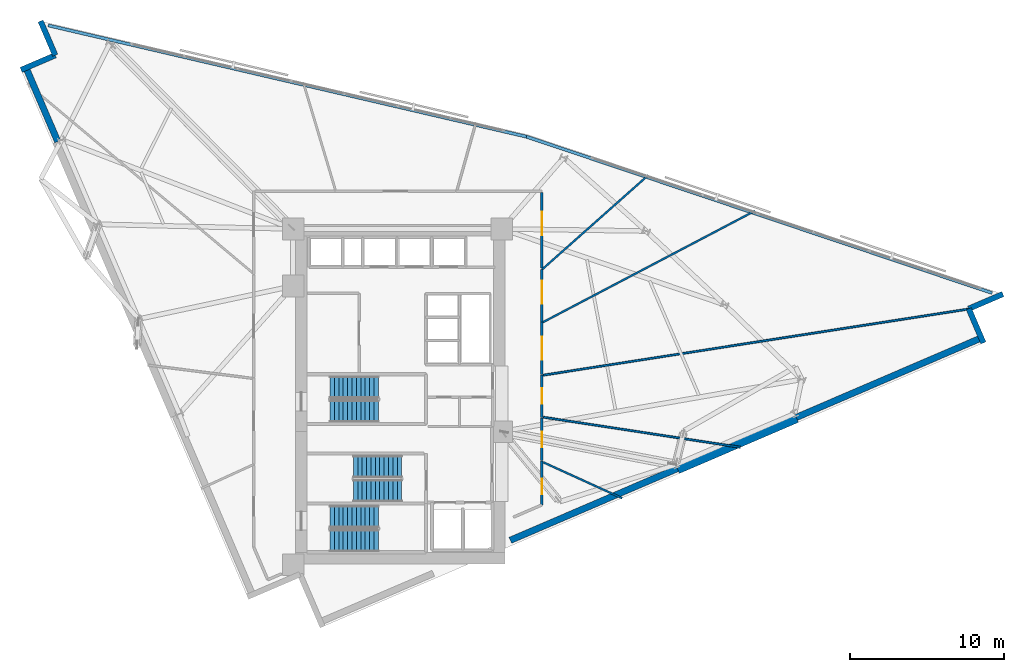
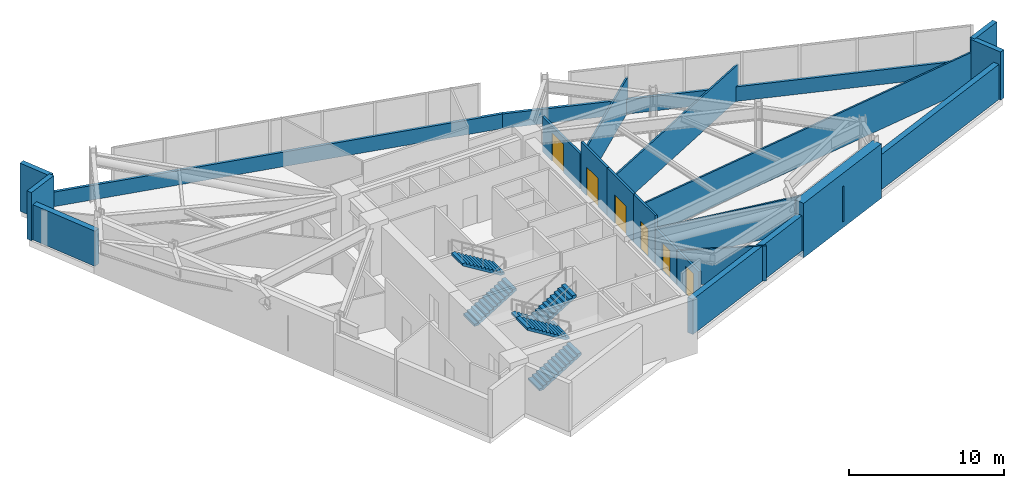
# One storey, part 10 of 14: 21 walls, 6 doors, 6 stair flights, 6 openings, 3 elements without a shape of their own.
"""IFC4 building model written with IfcOpenShell, lengths in metres."""

import ifcopenshell
import ifcopenshell.guid

model = None  # the IFC model being written
_history = None  # IfcOwnerHistory: only IFC2X3 demands one
_inside = {}  # id of a spatial element -> (the spatial element, [elements in it])
_under = {}  # id of a project, library or spatial element -> (it, [spatial elements below it])
_declared = {}  # id of a project -> (the project, [libraries it declares])
_typed = {}  # id of a type object -> (the type object, [elements of that type])
_made_of = {}  # id of a material, layer set ... -> (it, [elements and type objects made of it])


def new_model(schema):
    """Start an empty IFC model of exactly this schema.

    Asked for "IFC4X3", IfcOpenShell would pick the latest addendum, in which some entities
    have other attributes; the version numbers below select the first issue.
    IFC2X3 requires an IfcOwnerHistory on every rooted entity: one is made here for all.
    """
    global model, _history
    if schema == "IFC4X3":
        model = ifcopenshell.file(schema_version=(4, 3, 0, 0))
    else:
        model = ifcopenshell.file(schema=schema)
    _inside.clear()
    _under.clear()
    _declared.clear()
    _typed.clear()
    _made_of.clear()
    _history = None
    if model.schema == "IFC2X3":
        org = make("IfcOrganization", Name="unknown")
        user = make(
            "IfcPersonAndOrganization",
            ThePerson=make("IfcPerson", FamilyName="unknown"),
            TheOrganization=org,
        )
        app = make(
            "IfcApplication",
            ApplicationDeveloper=org,
            Version="unknown",
            ApplicationFullName="unknown",
            ApplicationIdentifier="unknown",
        )
        _history = make(
            "IfcOwnerHistory",
            OwningUser=user,
            OwningApplication=app,
            ChangeAction="ADDED",
            CreationDate=0,
        )
    return model


def make(cls, **values):
    """One entity of the class cls with the attributes given. An attribute that is None is left unset."""
    return model.create_entity(
        cls, **{name: value for name, value in values.items() if value is not None}
    )


def rooted(cls, **values):
    """An entity with a GlobalId (a new one), such as an element, a storey or a relation."""
    return make(cls, GlobalId=ifcopenshell.guid.new(), OwnerHistory=_history, **values)


def si_unit(unit_type, name, prefix=None):
    """IfcSIUnit, for example si_unit("LENGTHUNIT", "METRE", prefix="MILLI")."""
    return make("IfcSIUnit", UnitType=unit_type, Prefix=prefix, Name=name)


def assignment(units):
    """IfcUnitAssignment: the units of a project."""
    return None if units is None else make("IfcUnitAssignment", Units=units)


def point(xyz):
    """IfcCartesianPoint."""
    return None if xyz is None else make("IfcCartesianPoint", Coordinates=xyz)


def direction(xyz):
    """IfcDirection."""
    return None if xyz is None else make("IfcDirection", DirectionRatios=xyz)


def frame(location, z_axis=None, x_axis=None):
    """IfcAxis2Placement3D, a coordinate frame: its origin and axes. An axis left out is left unset."""
    return make(
        "IfcAxis2Placement3D",
        Location=point(location),
        Axis=direction(z_axis),
        RefDirection=direction(x_axis),
    )


def frame_2d(location, x_axis=None):
    """IfcAxis2Placement2D, a coordinate frame in the plane: its origin and x axis."""
    return make(
        "IfcAxis2Placement2D", Location=point(location), RefDirection=direction(x_axis)
    )


def origin():
    """The frame at (0, 0, 0) with its axes left unset."""
    return frame((0.0, 0.0, 0.0))


def place(relative_to, where):
    """IfcLocalPlacement: puts the frame where relative to a parent placement (None: the world)."""
    return make(
        "IfcLocalPlacement", PlacementRelTo=relative_to, RelativePlacement=where
    )


def context(
    kind, dimensions, precision=None, world=None, true_north=None, identifier=None
):
    """IfcGeometricRepresentationContext, for example the 3D "Model" context."""
    return make(
        "IfcGeometricRepresentationContext",
        ContextIdentifier=identifier,
        ContextType=kind,
        CoordinateSpaceDimension=dimensions,
        Precision=precision,
        WorldCoordinateSystem=world,
        TrueNorth=true_north,
    )


def subcontext(parent, identifier, kind, view, scale=None):
    """IfcGeometricRepresentationSubContext, for example "Body" below "Model"."""
    return make(
        "IfcGeometricRepresentationSubContext",
        ContextIdentifier=identifier,
        ContextType=kind,
        ParentContext=parent,
        TargetScale=scale,
        TargetView=view,
    )


def project(units=None, contexts=None):
    """IfcProject with its units and contexts."""
    return rooted(
        "IfcProject",
        Name="project",
        RepresentationContexts=contexts,
        UnitsInContext=assignment(units),
    )


def spatial(cls, under=None, at=None, **own):
    """A site, building, storey or space (cls), placed at a placement, below another one or the project."""
    s = rooted(cls, ObjectPlacement=at, **own)
    if under is not None:
        _under.setdefault(under.id(), (under, []))[1].append(s)
    return s


def polyline(points):
    """IfcPolyline through the points."""
    return make("IfcPolyline", Points=[point(p) for p in points])


def profile(cls, at=None, kind="AREA", **sizes):
    """A parametric profile (cls). Its sizes go by their IFC names, for example OverallWidth=200.0."""
    return make(cls, ProfileType=kind, Position=at, **sizes)


def rectangle(**sizes):
    """IfcRectangleProfileDef."""
    return profile("IfcRectangleProfileDef", **sizes)


def outline(outer, holes=None, kind="AREA"):
    """IfcArbitraryClosedProfileDef: a profile drawn as a closed curve; with holes, ...WithVoids."""
    if holes is None:
        return make("IfcArbitraryClosedProfileDef", ProfileType=kind, OuterCurve=outer)
    return make(
        "IfcArbitraryProfileDefWithVoids",
        ProfileType=kind,
        OuterCurve=outer,
        InnerCurves=holes,
    )


def extrude(swept, where, along, depth):
    """IfcExtrudedAreaSolid: the profile swept, set in the frame where, extruded along a direction by depth."""
    return make(
        "IfcExtrudedAreaSolid",
        SweptArea=swept,
        Position=where,
        ExtrudedDirection=direction(along),
        Depth=depth,
    )


def shape(context_of_items, identifier, shape_type, items):
    """IfcShapeRepresentation: the items that make up one representation, for example the "Body"."""
    return make(
        "IfcShapeRepresentation",
        ContextOfItems=context_of_items,
        RepresentationIdentifier=identifier,
        RepresentationType=shape_type,
        Items=items,
    )


def material(Name=None, Category=None):
    """IfcMaterial."""
    return make("IfcMaterial", Name=Name, Category=Category)


def layer(
    of_material, thickness, ventilated=None, Name=None, Category=None, Priority=None
):
    """IfcMaterialLayer: one layer of a wall or slab, of a material (None: an air gap)."""
    return make(
        "IfcMaterialLayer",
        Material=of_material,
        LayerThickness=thickness,
        IsVentilated=ventilated,
        Name=Name,
        Category=Category,
        Priority=Priority,
    )


def layer_set(layers, Name=None):
    """IfcMaterialLayerSet."""
    return make("IfcMaterialLayerSet", MaterialLayers=layers, LayerSetName=Name)


def made_of(thing, what):
    """Note that an element or type object is made of a material, layer set ...; save() writes the relation."""
    if what is not None:
        _made_of.setdefault(what.id(), (what, []))[1].append(thing)
    return thing


def type_object(cls, material=None, **own):
    """A type object (cls), such as IfcWallType, which elements share."""
    return made_of(rooted(cls, **own), material)


def element(
    cls,
    number,
    at=None,
    inside=None,
    cuts=None,
    type_object=None,
    material=None,
    context=None,
    identifier="Body",
    shape_type=None,
    held_by="IfcProductDefinitionShape",
    body=None,
    shapes=None,
    **own,
):
    """One element of the class cls, such as IfcWall. Its Tag is "e" and its number.

    at: its placement. inside: the storey or other place that contains it. cuts: it is an
    opening in that element (IfcRelVoidsElement). A single representation is given by context,
    identifier, shape_type and body (its items); several are given by shapes. held_by: the class
    of the entity that holds the representations. save() writes the other relations.
    """
    e = rooted(cls, Tag="e%d" % number, ObjectPlacement=at, **own)
    if body is not None:
        shapes = [shape(context, identifier, shape_type, body)]
    if shapes is not None:
        e.Representation = make(held_by, Representations=shapes)
    if inside is not None:
        _inside.setdefault(inside.id(), (inside, []))[1].append(e)
    if cuts is not None:
        rooted(
            "IfcRelVoidsElement", RelatingBuildingElement=cuts, RelatedOpeningElement=e
        )
    if type_object is not None:
        _typed.setdefault(type_object.id(), (type_object, []))[1].append(e)
    return made_of(e, material)


def fill(opening, filler):
    """IfcRelFillsElement: the door or window that sits in an opening."""
    return rooted(
        "IfcRelFillsElement",
        RelatingOpeningElement=opening,
        RelatedBuildingElement=filler,
    )


def aggregate(whole, parts):
    """IfcRelAggregates: a whole, such as a stair, and the parts it consists of."""
    return rooted("IfcRelAggregates", RelatingObject=whole, RelatedObjects=parts)


def save(model, path):
    """Write the relations noted so far, then the file.

    IfcRelAggregates (storeys below a building ...), IfcRelContainedInSpatialStructure (elements
    in a storey), IfcRelDefinesByType, IfcRelAssociatesMaterial and IfcRelDeclares: one each for
    every whole, place, type object, material and project.
    """
    for whole, parts in _under.values():
        aggregate(whole, parts)
    for where, things in _inside.values():
        rooted(
            "IfcRelContainedInSpatialStructure",
            RelatedElements=things,
            RelatingStructure=where,
        )
    for kind, things in _typed.values():
        rooted("IfcRelDefinesByType", RelatedObjects=things, RelatingType=kind)
    for what, things in _made_of.values():
        rooted("IfcRelAssociatesMaterial", RelatedObjects=things, RelatingMaterial=what)
    for by, libraries in _declared.values():
        rooted("IfcRelDeclares", RelatingContext=by, RelatedDefinitions=libraries)
    model.write(path)


model = new_model("IFC4")

# Units and contexts
model_context = context("Model", 3, precision=1e-05, world=origin(), true_north=direction((0.0, 1.0)))
body_context = subcontext(model_context, "Body", "Model", "MODEL_VIEW")
ifc_project = project(units=[si_unit("LENGTHUNIT", "METRE"), si_unit("AREAUNIT", "SQUARE_METRE"), si_unit("VOLUMEUNIT", "CUBIC_METRE"), si_unit("PLANEANGLEUNIT", "RADIAN"), si_unit("MASSUNIT", "GRAM", prefix="KILO")], contexts=[model_context])

# Site, building, storey
site_placement = place(None, origin())
site = spatial("IfcSite", under=ifc_project, at=site_placement, CompositionType="ELEMENT")
building_placement = place(site_placement, origin())
building = spatial("IfcBuilding", under=site, at=building_placement, Name="Narakoshi Arena Tower", CompositionType="ELEMENT")
storey_placement = place(building_placement, frame((0.0, 0.0, 196.699951171875)))
storey = spatial("IfcBuildingStorey", under=building, at=storey_placement, Name="L53", CompositionType="ELEMENT", Elevation=196.699951171875)

# Wall, opening, door
ifc_material_1 = material(Name="Gypsum plasterboard fire-rated partition")
ifc_layer_1 = layer(ifc_material_1, 0.1650390625)
ifc_layer_set_1 = layer_set([ifc_layer_1], Name="Gypsum plasterboard fire-rated partition")
wall_type_1 = type_object("IfcWallType", Name="WL-CORR-165", PredefinedType="PARTITIONING", material=ifc_layer_set_1)
wall_1_placement = place(storey_placement, frame((88.14990234375, 38.591796875, 0.0), z_axis=(0.0, 0.0, 1.0), x_axis=(0.0, 1.0, 0.0)))
wall_1 = element("IfcWall", 1, at=wall_1_placement, inside=storey, type_object=wall_type_1, Name="L53 Corridor Partition 03-1", PredefinedType="PARTITIONING", context=body_context, shape_type="SweptSolid", body=[
    extrude(rectangle(XDim=2.845458984375, YDim=0.1650390625, at=frame_2d((1.4228515625, 0.0))), origin(), (0.0, 0.0, 1.0), 2.777099609375),
])
opening_1_placement = place(wall_1_placement, frame((0.705810546875, 0.0, 0.0)))
opening_1 = element("IfcOpeningElement", 2, at=opening_1_placement, cuts=wall_1, Name="Opening D-06", PredefinedType="OPENING", context=body_context, shape_type="SweptSolid", body=[
    extrude(rectangle(XDim=1.0, YDim=2.199951171875, at=frame_2d((0.5, 1.10009765625))), frame((0.0, 0.092529296875, 0.0), z_axis=(0.0, -1.0, 0.0), x_axis=(1.0, 0.0, 0.0)), (0.0, 0.0, 1.0), 0.18505859375),
])
ifc_material_2 = material(Name="Stained oak solid-core timber", Category="wood")
door_type_1 = type_object("IfcDoorType", Name="DR-OFF-1000", OperationType="NOTDEFINED", PredefinedType="DOOR", material=ifc_material_2)
door_1_placement = place(opening_1_placement, frame((1.0, 0.0, 0.0), z_axis=(0.0, 0.0, 1.0), x_axis=(-1.0, 0.0, 0.0)))
door_1 = element("IfcDoor", 3, at=door_1_placement, inside=storey, type_object=door_type_1, Name="DR-L53-016", OperationType="SINGLE_SWING_LEFT", OverallHeight=2.199951171875, OverallWidth=1.0, PredefinedType="DOOR", context=body_context, shape_type="SweptSolid", body=[
    extrude(rectangle(XDim=1.0, YDim=2.199951171875, at=frame_2d((0.5, 1.10009765625))), frame((0.0, 0.02490234375, 0.0), z_axis=(0.0, -1.0, 0.0), x_axis=(1.0, 0.0, 0.0)), (0.0, 0.0, 1.0), 0.050048828125),
])
fill(opening_1, door_1)

wall_2_placement = place(storey_placement, frame((88.14990234375, 44.26123046875, 0.0), z_axis=(0.0, 0.0, 1.0), x_axis=(0.0, 1.0, 0.0)))
wall_2 = element("IfcWall", 4, at=wall_2_placement, inside=storey, type_object=wall_type_1, Name="L53 Corridor Partition 04-1", PredefinedType="PARTITIONING", context=body_context, shape_type="SweptSolid", body=[
    extrude(rectangle(XDim=2.7734375, YDim=0.1650390625, at=frame_2d((1.38671875, 0.0))), origin(), (0.0, 0.0, 1.0), 3.800048828125),
])
opening_2_placement = place(wall_2_placement, frame((0.88671875, 0.0, 0.0)))
opening_2 = element("IfcOpeningElement", 5, at=opening_2_placement, cuts=wall_2, Name="Opening D-06", PredefinedType="OPENING", context=body_context, shape_type="SweptSolid", body=[
    extrude(rectangle(XDim=1.0, YDim=2.199951171875, at=frame_2d((0.5, 1.10009765625))), frame((0.0, 0.092529296875, 0.0), z_axis=(0.0, -1.0, 0.0), x_axis=(1.0, 0.0, 0.0)), (0.0, 0.0, 1.0), 0.18505859375),
])
door_2_placement = place(opening_2_placement, frame((1.0, 0.0, 0.0), z_axis=(0.0, 0.0, 1.0), x_axis=(-1.0, 0.0, 0.0)))
door_2 = element("IfcDoor", 6, at=door_2_placement, inside=storey, type_object=door_type_1, Name="DR-L53-017", OperationType="SINGLE_SWING_RIGHT", OverallHeight=2.199951171875, OverallWidth=1.0, PredefinedType="DOOR", context=body_context, shape_type="SweptSolid", body=[
    extrude(rectangle(XDim=1.0, YDim=2.199951171875, at=frame_2d((0.5, 1.10009765625))), frame((0.0, 0.02490234375, 0.0), z_axis=(0.0, -1.0, 0.0), x_axis=(1.0, 0.0, 0.0)), (0.0, 0.0, 1.0), 0.050048828125),
])
fill(opening_2, door_2)

wall_3_placement = place(storey_placement, frame((88.14990234375, 41.463623046875, 0.0), z_axis=(0.0, 0.0, 1.0), x_axis=(0.0, 1.0, 0.0)))
wall_3 = element("IfcWall", 7, at=wall_3_placement, inside=storey, type_object=wall_type_1, Name="L53 Corridor Partition 05-1", PredefinedType="PARTITIONING", context=body_context, shape_type="SweptSolid", body=[
    extrude(rectangle(XDim=2.7734375, YDim=0.1650390625, at=frame_2d((1.38671875, 0.0))), origin(), (0.0, 0.0, 1.0), 2.777099609375),
])
opening_3_placement = place(wall_3_placement, frame((0.88671875, 0.0, 0.0)))
opening_3 = element("IfcOpeningElement", 8, at=opening_3_placement, cuts=wall_3, Name="Opening D-06", PredefinedType="OPENING", context=body_context, shape_type="SweptSolid", body=[
    extrude(rectangle(XDim=1.0, YDim=2.199951171875, at=frame_2d((0.5, 1.10009765625))), frame((0.0, 0.092529296875, 0.0), z_axis=(0.0, -1.0, 0.0), x_axis=(1.0, 0.0, 0.0)), (0.0, 0.0, 1.0), 0.18505859375),
])
door_3_placement = place(opening_3_placement, frame((1.0, 0.0, 0.0), z_axis=(0.0, 0.0, 1.0), x_axis=(-1.0, 0.0, 0.0)))
door_3 = element("IfcDoor", 9, at=door_3_placement, inside=storey, type_object=door_type_1, Name="DR-L53-018", OperationType="SINGLE_SWING_LEFT", OverallHeight=2.199951171875, OverallWidth=1.0, PredefinedType="DOOR", context=body_context, shape_type="SweptSolid", body=[
    extrude(rectangle(XDim=1.0, YDim=2.199951171875, at=frame_2d((0.5, 1.10009765625))), frame((0.0, 0.02490234375, 0.0), z_axis=(0.0, -1.0, 0.0), x_axis=(1.0, 0.0, 0.0)), (0.0, 0.0, 1.0), 0.050048828125),
])
fill(opening_3, door_3)

wall_4_placement = place(storey_placement, frame((88.14990234375, 47.058837890625, 0.0), z_axis=(0.0, 0.0, 1.0), x_axis=(0.0, 1.0, 0.0)))
wall_4 = element("IfcWall", 10, at=wall_4_placement, inside=storey, type_object=wall_type_1, Name="L53 Corridor Partition 06-1", PredefinedType="PARTITIONING", context=body_context, shape_type="SweptSolid", body=[
    extrude(rectangle(XDim=3.388427734375, YDim=0.1650390625, at=frame_2d((1.6943359375, 0.0))), origin(), (0.0, 0.0, 1.0), 3.800048828125),
])
opening_4_placement = place(wall_4_placement, frame((0.9443359375, 0.0, 0.0)))
opening_4 = element("IfcOpeningElement", 11, at=opening_4_placement, cuts=wall_4, Name="Opening D-09", PredefinedType="OPENING", context=body_context, shape_type="SweptSolid", body=[
    extrude(rectangle(XDim=1.5, YDim=2.25, at=frame_2d((0.75, 1.125))), frame((0.0, 0.092529296875, 0.0), z_axis=(0.0, -1.0, 0.0), x_axis=(1.0, 0.0, 0.0)), (0.0, 0.0, 1.0), 0.18505859375),
])
ifc_material_3 = material(Name="Painted galvanized steel", Category="steel")
door_type_2 = type_object("IfcDoorType", Name="DR-PLT-1500", OperationType="DOUBLE_DOOR_SINGLE_SWING", PredefinedType="DOOR", material=ifc_material_3)
door_4_placement = place(opening_4_placement, frame((1.5, 0.0, 0.0), z_axis=(0.0, 0.0, 1.0), x_axis=(-1.0, 0.0, 0.0)))
door_4 = element("IfcDoor", 12, at=door_4_placement, inside=storey, type_object=door_type_2, Name="DR-L53-019", OperationType="DOUBLE_DOOR_SINGLE_SWING", OverallHeight=2.25, OverallWidth=1.5, PredefinedType="DOOR", context=body_context, shape_type="SweptSolid", body=[
    extrude(rectangle(XDim=1.5, YDim=2.25, at=frame_2d((0.75, 1.125))), frame((0.0, 0.02490234375, 0.0), z_axis=(0.0, -1.0, 0.0), x_axis=(1.0, 0.0, 0.0)), (0.0, 0.0, 1.0), 0.050048828125),
])
fill(opening_4, door_4)

wall_5_placement = place(storey_placement, frame((88.14990234375, 50.474365234375, 0.0), z_axis=(0.0, 0.0, 1.0), x_axis=(0.0, 1.0, 0.0)))
wall_5 = element("IfcWall", 13, at=wall_5_placement, inside=storey, type_object=wall_type_1, Name="L53 Corridor Partition 07-1", PredefinedType="PARTITIONING", context=body_context, shape_type="SweptSolid", body=[
    extrude(rectangle(XDim=3.388427734375, YDim=0.1650390625, at=frame_2d((1.6943359375, 0.0))), origin(), (0.0, 0.0, 1.0), 3.800048828125),
])
opening_5_placement = place(wall_5_placement, frame((1.16748046875, 0.0, 0.0)))
opening_5 = element("IfcOpeningElement", 14, at=opening_5_placement, cuts=wall_5, Name="Opening D-09", PredefinedType="OPENING", context=body_context, shape_type="SweptSolid", body=[
    extrude(rectangle(XDim=1.5, YDim=2.25, at=frame_2d((0.75, 1.125))), frame((0.0, 0.092529296875, 0.0), z_axis=(0.0, -1.0, 0.0), x_axis=(1.0, 0.0, 0.0)), (0.0, 0.0, 1.0), 0.18505859375),
])
door_5_placement = place(opening_5_placement, frame((1.5, 0.0, 0.0), z_axis=(0.0, 0.0, 1.0), x_axis=(-1.0, 0.0, 0.0)))
door_5 = element("IfcDoor", 15, at=door_5_placement, inside=storey, type_object=door_type_2, Name="DR-L53-020", OperationType="DOUBLE_DOOR_SINGLE_SWING", OverallHeight=2.25, OverallWidth=1.5, PredefinedType="DOOR", context=body_context, shape_type="SweptSolid", body=[
    extrude(rectangle(XDim=1.5, YDim=2.25, at=frame_2d((0.75, 1.125))), frame((0.0, 0.02490234375, 0.0), z_axis=(0.0, -1.0, 0.0), x_axis=(1.0, 0.0, 0.0)), (0.0, 0.0, 1.0), 0.050048828125),
])
fill(opening_5, door_5)

wall_6_placement = place(storey_placement, frame((88.14990234375, 53.96240234375, 0.0), z_axis=(0.0, 0.0, 1.0), x_axis=(0.0, 1.0, 0.0)))
wall_6 = element("IfcWall", 16, at=wall_6_placement, inside=storey, type_object=wall_type_1, Name="L53 Corridor Partition 08-2", PredefinedType="PARTITIONING", context=body_context, shape_type="SweptSolid", body=[
    extrude(rectangle(XDim=4.89306640625, YDim=0.1650390625, at=frame_2d((2.446533203125, 0.0))), origin(), (0.0, 0.0, 1.0), 2.777099609375),
])
opening_6_placement = place(wall_6_placement, frame((2.1455078125, 0.0, 0.0)))
opening_6 = element("IfcOpeningElement", 17, at=opening_6_placement, cuts=wall_6, Name="Opening D-09", PredefinedType="OPENING", context=body_context, shape_type="SweptSolid", body=[
    extrude(rectangle(XDim=1.5, YDim=2.25, at=frame_2d((0.75, 1.125))), frame((0.0, 0.092529296875, 0.0), z_axis=(0.0, -1.0, 0.0), x_axis=(1.0, 0.0, 0.0)), (0.0, 0.0, 1.0), 0.18505859375),
])
door_6_placement = place(opening_6_placement, frame((1.5, 0.0, 0.0), z_axis=(0.0, 0.0, 1.0), x_axis=(-1.0, 0.0, 0.0)))
door_6 = element("IfcDoor", 18, at=door_6_placement, inside=storey, type_object=door_type_2, Name="DR-L53-021", OperationType="DOUBLE_DOOR_SINGLE_SWING", OverallHeight=2.25, OverallWidth=1.5, PredefinedType="DOOR", context=body_context, shape_type="SweptSolid", body=[
    extrude(rectangle(XDim=1.5, YDim=2.25, at=frame_2d((0.75, 1.125))), frame((0.0, 0.02490234375, 0.0), z_axis=(0.0, -1.0, 0.0), x_axis=(1.0, 0.0, 0.0)), (0.0, 0.0, 1.0), 0.050048828125),
])
fill(opening_6, door_6)

# Walls
ifc_material_4 = material(Name="Concrete C60/75", Category="concrete")
ifc_layer_2 = layer(ifc_material_4, 0.699951171875)
ifc_layer_set_2 = layer_set([ifc_layer_2], Name="Concrete C60/75")
wall_type_2 = type_object("IfcWallType", Name="WL-LEG-700", PredefinedType="SHEAR", material=ifc_layer_set_2)
wall_7_placement = place(storey_placement, frame((96.936767578125, 40.951904296875, -0.5), z_axis=(0.0, 0.0, 1.0), x_axis=(0.918782407933, 0.394764343468, 0.0)))
element("IfcWall", 19, at=wall_7_placement, inside=storey, type_object=wall_type_2, Name="L53 Architectural Concrete Structural Wall LEGA-3", PredefinedType="SHEAR", context=body_context, shape_type="SweptSolid", body=[
    extrude(rectangle(XDim=8.401611328125, YDim=0.699951171875, at=frame_2d((4.20068359375, 0.0))), origin(), (0.0, 0.0, 1.0), 4.300048828125),
])
ifc_material_5 = material(Name="Precast concrete C45/55", Category="concrete")
ifc_layer_3 = layer(ifc_material_5, 0.25)
ifc_layer_set_3 = layer_set([ifc_layer_3], Name="Precast concrete C45/55")
wall_type_3 = type_object("IfcWallType", Name="WL-PARA-250", PredefinedType="PARAPET", material=ifc_layer_set_3)
wall_8_placement = place(storey_placement, frame((117.362548828125, 52.343505859375, 0.0), z_axis=(0.0, 0.0, 1.0), x_axis=(-0.94800468727, 0.31825636351, 0.0)))
element("IfcWall", 20, at=wall_8_placement, inside=storey, type_object=wall_type_3, Name="L53 Hypotenuse Sill Upstand Parapet 1-01", PredefinedType="PARAPET", context=body_context, shape_type="SweptSolid", body=[
    extrude(rectangle(XDim=31.869140625, YDim=0.199951171875, at=frame_2d((15.9345703125, 0.0))), origin(), (0.0, 0.0, 1.0), 1.150146484375),
])
wall_9_placement = place(storey_placement, frame((87.1650390625, 62.48193359375, 0.0), z_axis=(0.0, 0.0, 1.0), x_axis=(-0.973958867717, 0.226724775876, 0.0)))
element("IfcWall", 21, at=wall_9_placement, inside=storey, type_object=wall_type_3, Name="L53 Hypotenuse Sill Upstand Parapet 2-01", PredefinedType="PARAPET", context=body_context, shape_type="SweptSolid", body=[
    extrude(rectangle(XDim=31.89208984375, YDim=0.199951171875, at=frame_2d((15.946044921875, 0.0))), origin(), (0.0, 0.0, 1.0), 1.150146484375),
])
ifc_layer_4 = layer(ifc_material_1, 0.125)
ifc_layer_set_4 = layer_set([ifc_layer_4], Name="Gypsum plasterboard fire-rated partition")
wall_type_4 = type_object("IfcWallType", Name="WL-PART-125", PredefinedType="PARTITIONING", material=ifc_layer_set_4)
wall_10_placement = place(storey_placement, frame((88.244384765625, 41.35498046875, 0.0), z_axis=(0.0, 0.0, 1.0), x_axis=(0.910133851889, -0.414314339175, 0.0)))
element("IfcWall", 22, at=wall_10_placement, inside=storey, type_object=wall_type_4, Name="L53 Inter-Room Partition 03-05", PredefinedType="PARTITIONING", context=body_context, shape_type="SweptSolid", body=[
    extrude(rectangle(XDim=5.6103515625, YDim=0.125, at=frame_2d((2.80517578125, 0.0))), origin(), (0.0, 0.0, 1.0), 2.777099609375),
])
wall_11_placement = place(storey_placement, frame((101.032958984375, 42.3310546875, 0.0), z_axis=(0.0, 0.0, 1.0), x_axis=(-0.988557493013, 0.150844565722, 0.0)))
element("IfcWall", 23, at=wall_11_placement, inside=storey, type_object=wall_type_4, Name="L53 Inter-Room Partition 04-05", PredefinedType="PARTITIONING", context=body_context, shape_type="SweptSolid", body=[
    extrude(rectangle(XDim=12.9365234375, YDim=0.125, at=frame_2d((6.46826171875, 0.0))), origin(), (0.0, 0.0, 1.0), 2.777099609375),
])
wall_12_placement = place(storey_placement, frame((88.244384765625, 47.013671875, 0.0), z_axis=(0.0, 0.0, 1.0), x_axis=(0.988125579116, 0.153648429528, 0.0)))
element("IfcWall", 24, at=wall_12_placement, inside=storey, type_object=wall_type_4, Name="L53 Inter-Room Partition 04-06", PredefinedType="PARTITIONING", context=body_context, shape_type="SweptSolid", body=[
    extrude(rectangle(XDim=27.943359375, YDim=0.125, at=frame_2d((13.9716796875, 0.0))), origin(), (0.0, 0.0, 1.0), 2.777099609375),
])
wall_13_placement = place(storey_placement, frame((88.212890625, 50.447265625, 0.0), z_axis=(0.0, 0.0, 1.0), x_axis=(0.885317432513, 0.464987143574, 0.0)))
element("IfcWall", 25, at=wall_13_placement, inside=storey, type_object=wall_type_4, Name="L53 Inter-Room Partition 06-07", PredefinedType="PARTITIONING", context=body_context, shape_type="SweptSolid", body=[
    extrude(rectangle(XDim=15.54833984375, YDim=0.125, at=frame_2d((7.774169921875, 0.0))), origin(), (0.0, 0.0, 1.0), 2.777099609375),
])
wall_14_placement = place(storey_placement, frame((88.14990234375, 53.86279296875, 0.0), z_axis=(0.0, 0.0, 1.0), x_axis=(0.747844904677, 0.66387348083, 0.0)))
element("IfcWall", 26, at=wall_14_placement, inside=storey, type_object=wall_type_4, Name="L53 Inter-Room Partition 07-08", PredefinedType="PARTITIONING", context=body_context, shape_type="SweptSolid", body=[
    extrude(rectangle(XDim=9.24267578125, YDim=0.125, at=frame_2d((4.621337890625, 0.0))), origin(), (0.0, 0.0, 1.0), 2.777099609375),
])
ifc_layer_5 = layer(ifc_material_5, 0.419921875)
ifc_layer_set_5 = layer_set([ifc_layer_5], Name="Precast concrete C45/55")
wall_type_5 = type_object("IfcWallType", Name="WL-POD-420", PredefinedType="SOLIDWALL", material=ifc_layer_set_5)
wall_15_placement = place(storey_placement, frame((86.10009765625, 36.296142578125, 0.0), z_axis=(0.0, 0.0, 1.0), x_axis=(0.918792412723, 0.394741057306, 0.0)))
element("IfcWall", 27, at=wall_15_placement, inside=storey, type_object=wall_type_5, Name="L53 Architectural Concrete Facade Wall LEGA-2", PredefinedType="SOLIDWALL", context=body_context, shape_type="SweptSolid", body=[
    extrude(rectangle(XDim=11.79443359375, YDim=0.419921875, at=frame_2d((5.897216796875, 0.0))), origin(), (0.0, 0.0, 1.0), 2.777099609375),
])
wall_16_placement = place(storey_placement, frame((104.656005859375, 44.2685546875, 0.0), z_axis=(0.0, 0.0, 1.0), x_axis=(0.918789071809, 0.394748833467, 0.0)))
element("IfcWall", 28, at=wall_16_placement, inside=storey, type_object=wall_type_5, Name="L53 Architectural Concrete Facade Wall LEGA-4", PredefinedType="SOLIDWALL", context=body_context, shape_type="SweptSolid", body=[
    extrude(rectangle(XDim=13.06884765625, YDim=0.419921875, at=frame_2d((6.534423828125, 0.0))), origin(), (0.0, 0.0, 1.0), 2.777099609375),
])
wall_17_placement = place(storey_placement, frame((54.6708984375, 66.958984375, 0.0), z_axis=(0.0, 0.0, 1.0), x_axis=(0.394733507229, -0.918795656428, 0.0)))
element("IfcWall", 29, at=wall_17_placement, inside=storey, type_object=wall_type_5, Name="L53 Architectural Concrete Facade Wall LEGB-1", PredefinedType="SOLIDWALL", context=body_context, shape_type="SweptSolid", body=[
    extrude(rectangle(XDim=5.210205078125, YDim=0.419921875, at=frame_2d((2.60498046875, 0.0))), origin(), (0.0, 0.0, 1.0), 2.777099609375),
])
wall_18_placement = place(storey_placement, frame((116.8017578125, 49.105712890625, 0.0), z_axis=(0.0, 0.0, 1.0), x_axis=(-0.394712707157, 0.918804592288, 0.0)))
element("IfcWall", 30, at=wall_18_placement, inside=storey, type_object=wall_type_5, Name="L53 Re-Entrant Corner Notch Wall NTE-1", PredefinedType="SOLIDWALL", context=body_context, shape_type="SweptSolid", body=[
    extrude(rectangle(XDim=2.41357421875, YDim=0.360107421875, at=frame_2d((1.206787109375, 0.0))), origin(), (0.0, 0.0, 1.0), 3.800048828125),
])
wall_19_placement = place(storey_placement, frame((115.84912109375, 51.3232421875, 0.0), z_axis=(0.0, 0.0, 1.0), x_axis=(0.918788830096, 0.394749396062, 0.0)))
element("IfcWall", 31, at=wall_19_placement, inside=storey, type_object=wall_type_5, Name="L53 Re-Entrant Corner Notch Wall NTE-2", PredefinedType="SOLIDWALL", context=body_context, shape_type="SweptSolid", body=[
    extrude(rectangle(XDim=2.413330078125, YDim=0.360107421875, at=frame_2d((1.20654296875, 0.0))), origin(), (0.0, 0.0, 1.0), 3.800048828125),
])
wall_20_placement = place(storey_placement, frame((55.614013671875, 69.99072265625, 0.0), z_axis=(0.0, 0.0, 1.0), x_axis=(0.394663989422, -0.918825519592, 0.0)))
element("IfcWall", 32, at=wall_20_placement, inside=storey, type_object=wall_type_5, Name="L53 Re-Entrant Corner Notch Wall NTN-1", PredefinedType="SOLIDWALL", context=body_context, shape_type="SweptSolid", body=[
    extrude(rectangle(XDim=2.4130859375, YDim=0.360107421875, at=frame_2d((1.20654296875, 0.0))), origin(), (0.0, 0.0, 1.0), 3.800048828125),
])
wall_21_placement = place(storey_placement, frame((56.56640625, 67.7734375, 0.0), z_axis=(0.0, 0.0, 1.0), x_axis=(-0.918788830096, -0.394749396062, 0.0)))
element("IfcWall", 33, at=wall_21_placement, inside=storey, type_object=wall_type_5, Name="L53 Re-Entrant Corner Notch Wall NTN-2", PredefinedType="SOLIDWALL", context=body_context, shape_type="SweptSolid", body=[
    extrude(rectangle(XDim=2.413330078125, YDim=0.360107421875, at=frame_2d((1.20654296875, 0.0))), origin(), (0.0, 0.0, 1.0), 3.800048828125),
])

# Stair, stair flights
ifc_material_6 = material(Name="Concrete C45/55", Category="concrete")
stair_type = type_object("IfcStairType", Name="STR-PLANT-420", PredefinedType="TWO_STRAIGHT_RUN_STAIR", material=ifc_material_6)
stair_1_placement = place(storey_placement, origin())
stair_1 = element("IfcStair", 34, at=stair_1_placement, inside=storey, type_object=stair_type, Name="L53 Core Escape Stair ST1", PredefinedType="TWO_STRAIGHT_RUN_STAIR")
stair_flight_type = type_object("IfcStairFlightType", Name="FLT-145-160", PredefinedType="STRAIGHT", material=ifc_material_5)
stair_flight_1_placement = place(storey_placement, frame((74.39990234375, 36.27490234375, 0.0), z_axis=(0.0, 0.0, 1.0), x_axis=(1.0, 0.0, 0.0)))
stair_flight_1 = element("IfcStairFlight", 35, at=stair_flight_1_placement, type_object=stair_flight_type, Name="ST1 flight 1", NumberOfRisers=12, NumberOfTreads=11, PredefinedType="STRAIGHT", RiserHeight=0.175, TreadLength=0.285, context=body_context, shape_type="SweptSolid", body=[
    extrude(outline(polyline([(0.0, 0.0), (0.0, 0.175048828125), (0.284912109375, 0.175048828125), (0.284912109375, 0.35009765625), (0.570068359375, 0.35009765625), (0.570068359375, 0.52490234375), (0.85498046875, 0.52490234375), (0.85498046875, 0.699951171875), (1.139892578125, 0.699951171875), (1.139892578125, 0.875), (1.425048828125, 0.875), (1.425048828125, 1.050048828125), (1.7099609375, 1.050048828125), (1.7099609375, 1.22509765625), (1.9951171875, 1.22509765625), (1.9951171875, 1.39990234375), (2.280029296875, 1.39990234375), (2.280029296875, 1.574951171875), (2.56494140625, 1.574951171875), (2.56494140625, 1.75), (2.85009765625, 1.75), (2.85009765625, 1.925048828125), (3.135009765625, 1.925048828125), (3.135009765625, 2.10009765625), (3.135009765625, 1.7490234375), (0.286376953125, 0.0), (0.0, 0.0)])), frame((0.0, 0.72509765625, 0.0), z_axis=(0.0, -1.0, 0.0), x_axis=(1.0, 0.0, 0.0)), (0.0, 0.0, 1.0), 1.449951171875),
])
stair_flight_2_placement = place(storey_placement, frame((77.534912109375, 37.824951171875, 2.10009765625), z_axis=(0.0, 0.0, 1.0), x_axis=(-1.0, 0.0, 0.0)))
stair_flight_2 = element("IfcStairFlight", 36, at=stair_flight_2_placement, type_object=stair_flight_type, Name="ST1 flight 2", NumberOfRisers=12, NumberOfTreads=11, PredefinedType="STRAIGHT", RiserHeight=0.175, TreadLength=0.285, context=body_context, shape_type="SweptSolid", body=[
    extrude(outline(polyline([(0.0, 0.0), (0.0, 0.175048828125), (0.284912109375, 0.175048828125), (0.284912109375, 0.35009765625), (0.570068359375, 0.35009765625), (0.570068359375, 0.52490234375), (0.85498046875, 0.52490234375), (0.85498046875, 0.699951171875), (1.139892578125, 0.699951171875), (1.139892578125, 0.875), (1.425048828125, 0.875), (1.425048828125, 1.050048828125), (1.7099609375, 1.050048828125), (1.7099609375, 1.22509765625), (1.9951171875, 1.22509765625), (1.9951171875, 1.39990234375), (2.280029296875, 1.39990234375), (2.280029296875, 1.574951171875), (2.56494140625, 1.574951171875), (2.56494140625, 1.75), (2.85009765625, 1.75), (2.85009765625, 1.925048828125), (3.135009765625, 1.925048828125), (3.135009765625, 2.10009765625), (3.135009765625, 1.7490234375), (0.286376953125, 0.0), (0.0, 0.0)])), frame((0.0, 0.72509765625, 0.0), z_axis=(0.0, -1.0, 0.0), x_axis=(1.0, 0.0, 0.0)), (0.0, 0.0, 1.0), 1.449951171875),
])
aggregate(stair_1, [stair_flight_1, stair_flight_2])

stair_2_placement = place(storey_placement, origin())
stair_2 = element("IfcStair", 37, at=stair_2_placement, inside=storey, type_object=stair_type, Name="L53 Core Escape Stair ST2", PredefinedType="TWO_STRAIGHT_RUN_STAIR")
stair_flight_3_placement = place(storey_placement, frame((79.050048828125, 41.074951171875, 0.0), z_axis=(0.0, 0.0, 1.0), x_axis=(-1.0, 0.0, 0.0)))
stair_flight_3 = element("IfcStairFlight", 38, at=stair_flight_3_placement, type_object=stair_flight_type, Name="ST2 flight 1", NumberOfRisers=12, NumberOfTreads=11, PredefinedType="STRAIGHT", RiserHeight=0.175, TreadLength=0.285, context=body_context, shape_type="SweptSolid", body=[
    extrude(outline(polyline([(0.0, 0.0), (0.0, 0.175048828125), (0.284912109375, 0.175048828125), (0.284912109375, 0.35009765625), (0.570068359375, 0.35009765625), (0.570068359375, 0.52490234375), (0.85498046875, 0.52490234375), (0.85498046875, 0.699951171875), (1.139892578125, 0.699951171875), (1.139892578125, 0.875), (1.425048828125, 0.875), (1.425048828125, 1.050048828125), (1.7099609375, 1.050048828125), (1.7099609375, 1.22509765625), (1.9951171875, 1.22509765625), (1.9951171875, 1.39990234375), (2.280029296875, 1.39990234375), (2.280029296875, 1.574951171875), (2.56494140625, 1.574951171875), (2.56494140625, 1.75), (2.85009765625, 1.75), (2.85009765625, 1.925048828125), (3.135009765625, 1.925048828125), (3.135009765625, 2.10009765625), (3.135009765625, 1.7490234375), (0.286376953125, 0.0), (0.0, 0.0)])), frame((0.0, 0.72509765625, 0.0), z_axis=(0.0, -1.0, 0.0), x_axis=(1.0, 0.0, 0.0)), (0.0, 0.0, 1.0), 1.449951171875),
])
stair_flight_4_placement = place(storey_placement, frame((75.9150390625, 39.52490234375, 2.10009765625), z_axis=(0.0, 0.0, 1.0), x_axis=(1.0, 0.0, 0.0)))
stair_flight_4 = element("IfcStairFlight", 39, at=stair_flight_4_placement, type_object=stair_flight_type, Name="ST2 flight 2", NumberOfRisers=12, NumberOfTreads=11, PredefinedType="STRAIGHT", RiserHeight=0.175, TreadLength=0.285, context=body_context, shape_type="SweptSolid", body=[
    extrude(outline(polyline([(0.0, 0.0), (0.0, 0.175048828125), (0.284912109375, 0.175048828125), (0.284912109375, 0.35009765625), (0.570068359375, 0.35009765625), (0.570068359375, 0.52490234375), (0.85498046875, 0.52490234375), (0.85498046875, 0.699951171875), (1.139892578125, 0.699951171875), (1.139892578125, 0.875), (1.425048828125, 0.875), (1.425048828125, 1.050048828125), (1.7099609375, 1.050048828125), (1.7099609375, 1.22509765625), (1.9951171875, 1.22509765625), (1.9951171875, 1.39990234375), (2.280029296875, 1.39990234375), (2.280029296875, 1.574951171875), (2.56494140625, 1.574951171875), (2.56494140625, 1.75), (2.85009765625, 1.75), (2.85009765625, 1.925048828125), (3.135009765625, 1.925048828125), (3.135009765625, 2.10009765625), (3.135009765625, 1.7490234375), (0.286376953125, 0.0), (0.0, 0.0)])), frame((0.0, 0.72509765625, 0.0), z_axis=(0.0, -1.0, 0.0), x_axis=(1.0, 0.0, 0.0)), (0.0, 0.0, 1.0), 1.449951171875),
])
aggregate(stair_2, [stair_flight_3, stair_flight_4])

stair_3_placement = place(storey_placement, origin())
stair_3 = element("IfcStair", 40, at=stair_3_placement, inside=storey, type_object=stair_type, Name="L53 Core Escape Stair ST3", PredefinedType="TWO_STRAIGHT_RUN_STAIR")
stair_flight_5_placement = place(storey_placement, frame((74.39990234375, 44.675048828125, 0.0), z_axis=(0.0, 0.0, 1.0), x_axis=(1.0, 0.0, 0.0)))
stair_flight_5 = element("IfcStairFlight", 41, at=stair_flight_5_placement, type_object=stair_flight_type, Name="ST3 flight 1", NumberOfRisers=12, NumberOfTreads=11, PredefinedType="STRAIGHT", RiserHeight=0.175, TreadLength=0.285, context=body_context, shape_type="SweptSolid", body=[
    extrude(outline(polyline([(0.0, 0.0), (0.0, 0.175048828125), (0.284912109375, 0.175048828125), (0.284912109375, 0.35009765625), (0.570068359375, 0.35009765625), (0.570068359375, 0.52490234375), (0.85498046875, 0.52490234375), (0.85498046875, 0.699951171875), (1.139892578125, 0.699951171875), (1.139892578125, 0.875), (1.425048828125, 0.875), (1.425048828125, 1.050048828125), (1.7099609375, 1.050048828125), (1.7099609375, 1.22509765625), (1.9951171875, 1.22509765625), (1.9951171875, 1.39990234375), (2.280029296875, 1.39990234375), (2.280029296875, 1.574951171875), (2.56494140625, 1.574951171875), (2.56494140625, 1.75), (2.85009765625, 1.75), (2.85009765625, 1.925048828125), (3.135009765625, 1.925048828125), (3.135009765625, 2.10009765625), (3.135009765625, 1.7490234375), (0.286376953125, 0.0), (0.0, 0.0)])), frame((0.0, 0.72509765625, 0.0), z_axis=(0.0, -1.0, 0.0), x_axis=(1.0, 0.0, 0.0)), (0.0, 0.0, 1.0), 1.449951171875),
])
stair_flight_6_placement = place(storey_placement, frame((77.534912109375, 46.22509765625, 2.10009765625), z_axis=(0.0, 0.0, 1.0), x_axis=(-1.0, 0.0, 0.0)))
stair_flight_6 = element("IfcStairFlight", 42, at=stair_flight_6_placement, type_object=stair_flight_type, Name="ST3 flight 2", NumberOfRisers=12, NumberOfTreads=11, PredefinedType="STRAIGHT", RiserHeight=0.175, TreadLength=0.285, context=body_context, shape_type="SweptSolid", body=[
    extrude(outline(polyline([(0.0, 0.0), (0.0, 0.175048828125), (0.284912109375, 0.175048828125), (0.284912109375, 0.35009765625), (0.570068359375, 0.35009765625), (0.570068359375, 0.52490234375), (0.85498046875, 0.52490234375), (0.85498046875, 0.699951171875), (1.139892578125, 0.699951171875), (1.139892578125, 0.875), (1.425048828125, 0.875), (1.425048828125, 1.050048828125), (1.7099609375, 1.050048828125), (1.7099609375, 1.22509765625), (1.9951171875, 1.22509765625), (1.9951171875, 1.39990234375), (2.280029296875, 1.39990234375), (2.280029296875, 1.574951171875), (2.56494140625, 1.574951171875), (2.56494140625, 1.75), (2.85009765625, 1.75), (2.85009765625, 1.925048828125), (3.135009765625, 1.925048828125), (3.135009765625, 2.10009765625), (3.135009765625, 1.7490234375), (0.286376953125, 0.0), (0.0, 0.0)])), frame((0.0, 0.72509765625, 0.0), z_axis=(0.0, -1.0, 0.0), x_axis=(1.0, 0.0, 0.0)), (0.0, 0.0, 1.0), 1.449951171875),
])
aggregate(stair_3, [stair_flight_5, stair_flight_6])

save(model, "model.ifc")
